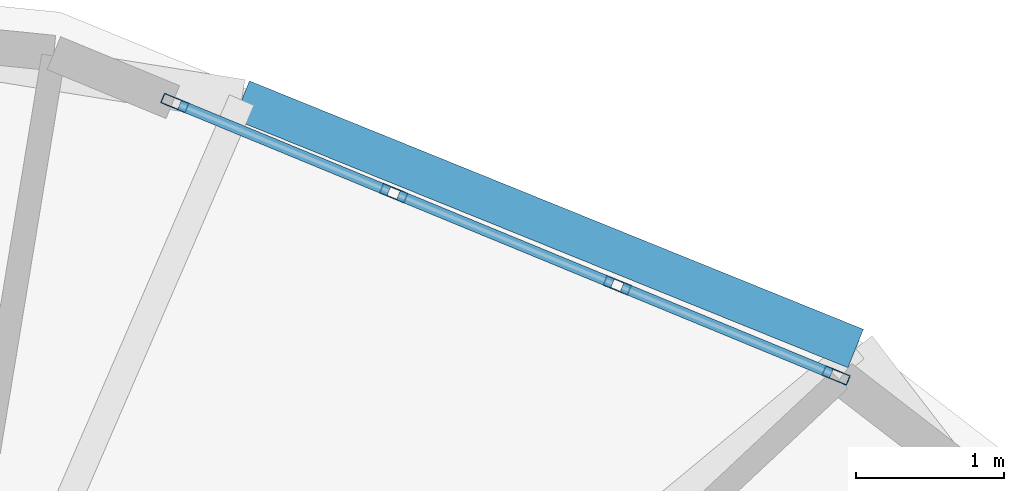
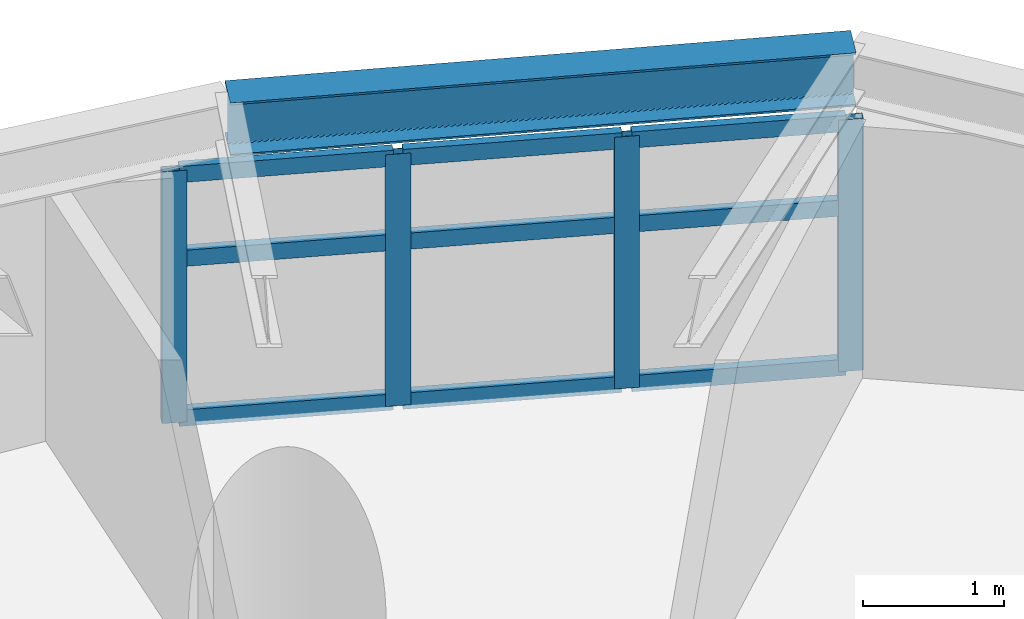
# One storey, part 7 of 17: 13 members, 1 beam, 1 element without a shape of its own.
"""IFC4 building model written with IfcOpenShell, lengths in metres."""

from ifc_helpers import new_model, si_unit, direction, frame, origin, origin_2d, place, context, subcontext, project, spatial, hollow_rectangle, i_section, extrude, material, layer, layer_set, material_profile, profile_set, type_object, element, aggregate, save


model = new_model("IFC4")

# Units and contexts
model_context = context("Model", 3, precision=1e-05, world=origin(), true_north=direction((0.0, 1.0)))
body_context = subcontext(model_context, "Body", "Model", "MODEL_VIEW")
ifc_project = project(units=[si_unit("LENGTHUNIT", "METRE"), si_unit("AREAUNIT", "SQUARE_METRE"), si_unit("VOLUMEUNIT", "CUBIC_METRE"), si_unit("PLANEANGLEUNIT", "RADIAN"), si_unit("MASSUNIT", "GRAM", prefix="KILO")], contexts=[model_context])

# Site, building, storey
site_placement = place(None, origin())
site = spatial("IfcSite", under=ifc_project, at=site_placement, CompositionType="ELEMENT")
building_placement = place(site_placement, origin())
building = spatial("IfcBuilding", under=site, at=building_placement, Name="Cununo Teusaquillo Station Towers", CompositionType="ELEMENT")
storey_placement = place(building_placement, frame((0.0, 0.0, 107.97998046875)))
storey = spatial("IfcBuildingStorey", under=building, at=storey_placement, Name="L34", CompositionType="ELEMENT", Elevation=107.97998046875)

# Beam
ifc_material_1 = material(Name="Steel ASTM A572 Grade 50", Category="steel")
ifc_material_profile_1 = material_profile(ifc_material_1, i_section(OverallWidth=0.280029296875, OverallDepth=0.462890625, WebThickness=0.0107421875, FlangeThickness=0.017333984375, FilletRadius=0.013916015625, at=origin_2d()), Name="W18X76")
ifc_profile_set_1 = profile_set([ifc_material_profile_1], Name="Steel ASTM A572 Grade 50")
beam_type = type_object("IfcBeamType", Name="BM-RING-Z2", PredefinedType="SPANDREL", material=ifc_profile_set_1)
beam_placement = place(storey_placement, frame((63.9111328125, 39.341064453125, 2.4384765625), z_axis=(-0.927007712072, 0.375042266631, 0.0), x_axis=(-0.375042266631, -0.927007712072, 0.0)))
element("IfcBeam", 1, at=beam_placement, inside=storey, type_object=beam_type, Name="L34 Tower B Spandrel Ring Beam 02", PredefinedType="SPANDREL", context=body_context, shape_type="SweptSolid", body=[
    extrude(i_section(OverallWidth=0.280029296875, OverallDepth=0.462890625, WebThickness=0.0107421875, FlangeThickness=0.017333984375, FilletRadius=0.013916015625, at=origin_2d()), origin(), (0.0, 0.0, 1.0), 4.480712890625),
])

# Curtain wall, members
ifc_material_2 = material(Name="Ceramic-fritted dark low-E double glazing", Category="glass")
ifc_layer = layer(ifc_material_2, 0.179931640625)
ifc_layer_set = layer_set([ifc_layer], Name="Ceramic-fritted dark low-E double glazing")
curtain_wall_type = type_object("IfcCurtainWallType", Name="CW-SYS-04", PredefinedType="USERDEFINED", material=ifc_layer_set)
curtain_wall_placement = place(storey_placement, origin())
curtain_wall = element("IfcCurtainWall", 2, at=curtain_wall_placement, inside=storey, type_object=curtain_wall_type, Name="L34 Tower B Facade Curtain Wall C01", ObjectType="FRITTED GLAZING", PredefinedType="USERDEFINED")
ifc_material_3 = material(Name="Anodised dark bronze aluminium EN AW-6063-T6", Category="aluminium")
ifc_material_profile_2 = material_profile(ifc_material_3, hollow_rectangle(XDim=0.070068359375, YDim=0.179931640625, WallThickness=0.00390625, at=origin_2d()), Name="CW-MULL-70x180")
ifc_profile_set_2 = profile_set([ifc_material_profile_2], Name="Anodised dark bronze aluminium EN AW-6063-T6")
member_type_1 = type_object("IfcMemberType", Name="CWM-180", PredefinedType="MULLION", material=ifc_profile_set_2)
member_1_placement = place(storey_placement, frame((59.3056640625, 41.001953125, 0.0), z_axis=(0.0, 0.0, 1.0), x_axis=(0.381030560176, 0.924562443652, 0.0)))
member_1 = element("IfcMember", 3, at=member_1_placement, type_object=member_type_1, Name="CW-04 mullion 1", PredefinedType="MULLION", context=body_context, shape_type="SweptSolid", body=[
    extrude(hollow_rectangle(XDim=0.070068359375, YDim=0.179931640625, WallThickness=0.00390625, at=origin_2d()), origin(), (0.0, 0.0, 1.0), 2.178955078125),
])
member_2_placement = place(storey_placement, frame((60.785888671875, 40.39208984375, 0.0), z_axis=(0.0, 0.0, 1.0), x_axis=(0.381030560176, 0.924562443652, 0.0)))
member_2 = element("IfcMember", 4, at=member_2_placement, type_object=member_type_1, Name="CW-04 mullion 2", PredefinedType="MULLION", context=body_context, shape_type="SweptSolid", body=[
    extrude(hollow_rectangle(XDim=0.070068359375, YDim=0.179931640625, WallThickness=0.00390625, at=origin_2d()), origin(), (0.0, 0.0, 1.0), 2.178955078125),
])
member_3_placement = place(storey_placement, frame((62.298583984375, 39.7685546875, 0.0), z_axis=(0.0, 0.0, 1.0), x_axis=(0.381030560176, 0.924562443652, 0.0)))
member_3 = element("IfcMember", 5, at=member_3_placement, type_object=member_type_1, Name="CW-04 mullion 3", PredefinedType="MULLION", context=body_context, shape_type="SweptSolid", body=[
    extrude(hollow_rectangle(XDim=0.070068359375, YDim=0.179931640625, WallThickness=0.00390625, at=origin_2d()), origin(), (0.0, 0.0, 1.0), 2.178955078125),
])
member_4_placement = place(storey_placement, frame((63.77880859375, 39.158447265625, 0.0), z_axis=(0.0, 0.0, 1.0), x_axis=(0.381030560176, 0.924562443652, 0.0)))
member_4 = element("IfcMember", 6, at=member_4_placement, type_object=member_type_1, Name="CW-04 mullion 4", PredefinedType="MULLION", context=body_context, shape_type="SweptSolid", body=[
    extrude(hollow_rectangle(XDim=0.070068359375, YDim=0.179931640625, WallThickness=0.00390625, at=origin_2d()), origin(), (0.0, 0.0, 1.0), 2.178955078125),
])
ifc_material_4 = material(Name="Anodised dark bronze aluminium EN AW-6063-T6", Category="aluminium")
ifc_material_profile_3 = material_profile(ifc_material_4, hollow_rectangle(XDim=0.070068359375, YDim=0.139892578125, WallThickness=0.00390625, at=origin_2d()), Name="CW-TRAN-70x140")
ifc_profile_set_3 = profile_set([ifc_material_profile_3], Name="Anodised dark bronze aluminium EN AW-6063-T6")
member_type_2 = type_object("IfcMemberType", Name="CWT-140", PredefinedType="USERDEFINED", material=ifc_profile_set_3)
member_5_placement = place(storey_placement, frame((59.337890625, 40.98876953125, 0.034912109375), z_axis=(0.924532726965, -0.381102659097, 0.0), x_axis=(0.381102659097, 0.924532726965, 0.0)))
member_5 = element("IfcMember", 7, at=member_5_placement, type_object=member_type_2, Name="CW-04 transom 1.1", ObjectType="TRANSOM", PredefinedType="USERDEFINED", context=body_context, shape_type="SweptSolid", body=[
    extrude(hollow_rectangle(XDim=0.070068359375, YDim=0.139892578125, WallThickness=0.00390625, at=origin_2d()), origin(), (0.0, 0.0, 1.0), 1.531005859375),
])
member_6_placement = place(storey_placement, frame((59.337890625, 40.98876953125, 1.416015625), z_axis=(0.924532726965, -0.381102659097, 0.0), x_axis=(0.381102659097, 0.924532726965, 0.0)))
member_6 = element("IfcMember", 8, at=member_6_placement, type_object=member_type_2, Name="CW-04 transom 1.2", ObjectType="TRANSOM", PredefinedType="USERDEFINED", context=body_context, shape_type="SweptSolid", body=[
    extrude(hollow_rectangle(XDim=0.070068359375, YDim=0.139892578125, WallThickness=0.00390625, at=origin_2d()), origin(), (0.0, 0.0, 1.0), 1.531005859375),
])
member_7_placement = place(storey_placement, frame((59.337890625, 40.98876953125, 2.14404296875), z_axis=(0.924532726965, -0.381102659097, 0.0), x_axis=(0.381102659097, 0.924532726965, 0.0)))
member_7 = element("IfcMember", 9, at=member_7_placement, type_object=member_type_2, Name="CW-04 transom 1.3", ObjectType="TRANSOM", PredefinedType="USERDEFINED", context=body_context, shape_type="SweptSolid", body=[
    extrude(hollow_rectangle(XDim=0.070068359375, YDim=0.139892578125, WallThickness=0.00390625, at=origin_2d()), origin(), (0.0, 0.0, 1.0), 1.531005859375),
])
member_8_placement = place(storey_placement, frame((60.818115234375, 40.378662109375, 0.034912109375), z_axis=(0.924577983912, -0.380992849887, 0.0), x_axis=(0.380992849887, 0.924577983912, 0.0)))
member_8 = element("IfcMember", 10, at=member_8_placement, type_object=member_type_2, Name="CW-04 transom 2.1", ObjectType="TRANSOM", PredefinedType="USERDEFINED", context=body_context, shape_type="SweptSolid", body=[
    extrude(hollow_rectangle(XDim=0.070068359375, YDim=0.139892578125, WallThickness=0.00390625, at=origin_2d()), origin(), (0.0, 0.0, 1.0), 1.566162109375),
])
member_9_placement = place(storey_placement, frame((60.818115234375, 40.378662109375, 1.416015625), z_axis=(0.924577983912, -0.380992849887, 0.0), x_axis=(0.380992849887, 0.924577983912, 0.0)))
member_9 = element("IfcMember", 11, at=member_9_placement, type_object=member_type_2, Name="CW-04 transom 2.2", ObjectType="TRANSOM", PredefinedType="USERDEFINED", context=body_context, shape_type="SweptSolid", body=[
    extrude(hollow_rectangle(XDim=0.070068359375, YDim=0.139892578125, WallThickness=0.00390625, at=origin_2d()), origin(), (0.0, 0.0, 1.0), 1.566162109375),
])
member_10_placement = place(storey_placement, frame((60.818115234375, 40.378662109375, 2.14404296875), z_axis=(0.924577983912, -0.380992849887, 0.0), x_axis=(0.380992849887, 0.924577983912, 0.0)))
member_10 = element("IfcMember", 12, at=member_10_placement, type_object=member_type_2, Name="CW-04 transom 2.3", ObjectType="TRANSOM", PredefinedType="USERDEFINED", context=body_context, shape_type="SweptSolid", body=[
    extrude(hollow_rectangle(XDim=0.070068359375, YDim=0.139892578125, WallThickness=0.00390625, at=origin_2d()), origin(), (0.0, 0.0, 1.0), 1.566162109375),
])
member_11_placement = place(storey_placement, frame((62.330810546875, 39.75537109375, 0.034912109375), z_axis=(0.924555881283, -0.381046483233, 0.0), x_axis=(0.381046483233, 0.924555881283, 0.0)))
member_11 = element("IfcMember", 13, at=member_11_placement, type_object=member_type_2, Name="CW-04 transom 3.1", ObjectType="TRANSOM", PredefinedType="USERDEFINED", context=body_context, shape_type="SweptSolid", body=[
    extrude(hollow_rectangle(XDim=0.070068359375, YDim=0.139892578125, WallThickness=0.00390625, at=origin_2d()), origin(), (0.0, 0.0, 1.0), 1.53125),
])
member_12_placement = place(storey_placement, frame((62.330810546875, 39.75537109375, 1.416015625), z_axis=(0.924555881283, -0.381046483233, 0.0), x_axis=(0.381046483233, 0.924555881283, 0.0)))
member_12 = element("IfcMember", 14, at=member_12_placement, type_object=member_type_2, Name="CW-04 transom 3.2", ObjectType="TRANSOM", PredefinedType="USERDEFINED", context=body_context, shape_type="SweptSolid", body=[
    extrude(hollow_rectangle(XDim=0.070068359375, YDim=0.139892578125, WallThickness=0.00390625, at=origin_2d()), origin(), (0.0, 0.0, 1.0), 1.53125),
])
member_13_placement = place(storey_placement, frame((62.330810546875, 39.75537109375, 2.14404296875), z_axis=(0.924555881283, -0.381046483233, 0.0), x_axis=(0.381046483233, 0.924555881283, 0.0)))
member_13 = element("IfcMember", 15, at=member_13_placement, type_object=member_type_2, Name="CW-04 transom 3.3", ObjectType="TRANSOM", PredefinedType="USERDEFINED", context=body_context, shape_type="SweptSolid", body=[
    extrude(hollow_rectangle(XDim=0.070068359375, YDim=0.139892578125, WallThickness=0.00390625, at=origin_2d()), origin(), (0.0, 0.0, 1.0), 1.53125),
])
aggregate(curtain_wall, [member_1, member_2, member_3, member_4, member_5, member_6, member_7, member_8, member_9, member_10, member_11, member_12, member_13])

save(model, "model.ifc")
